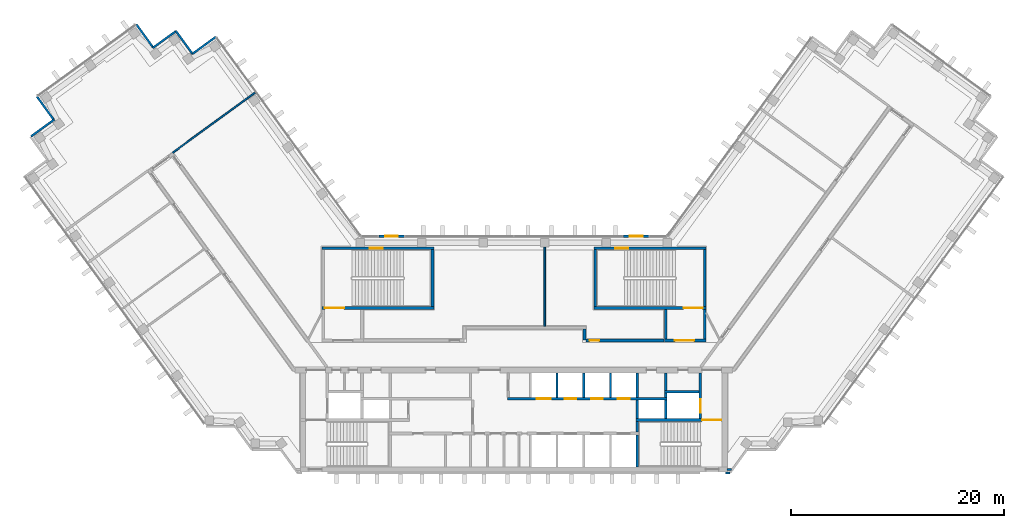
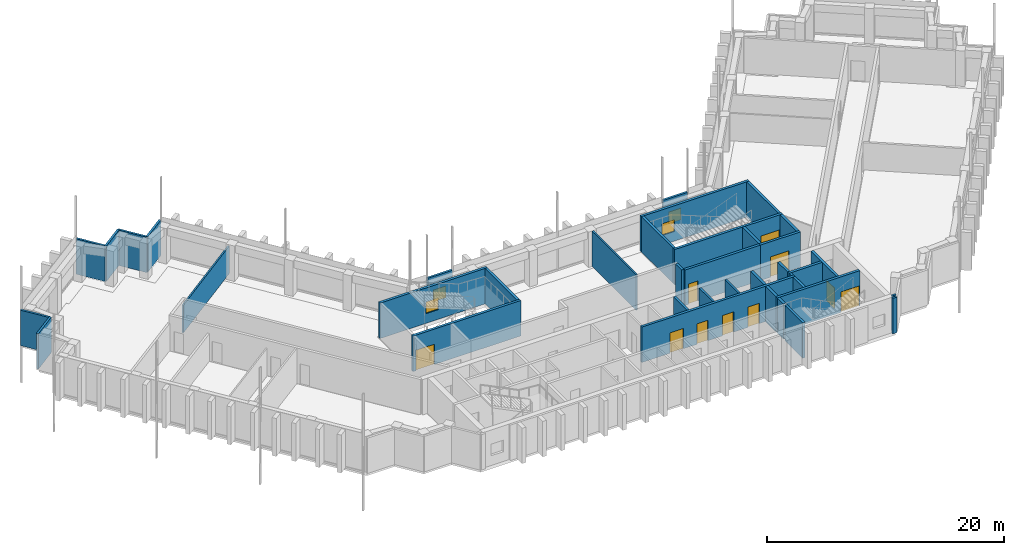
# One storey, part 9 of 13: 38 walls, 10 doors, 4 windows, 14 openings.
"""IFC4 building model written with IfcOpenShell, lengths in metres."""

from ifc_helpers import new_model, si_unit, direction, frame, frame_2d, origin, place, context, subcontext, project, spatial, rectangle, extrude, material, layer, layer_set, type_object, element, fill, save


model = new_model("IFC4")

# Units and contexts
model_context = context("Model", 3, precision=1e-05, world=origin(), true_north=direction((0.0, 1.0)))
body_context = subcontext(model_context, "Body", "Model", "MODEL_VIEW")
ifc_project = project(units=[si_unit("LENGTHUNIT", "METRE"), si_unit("AREAUNIT", "SQUARE_METRE"), si_unit("VOLUMEUNIT", "CUBIC_METRE"), si_unit("PLANEANGLEUNIT", "RADIAN"), si_unit("MASSUNIT", "GRAM", prefix="KILO")], contexts=[model_context])

# Site, building, storey
site_placement = place(None, origin())
site = spatial("IfcSite", under=ifc_project, at=site_placement, CompositionType="ELEMENT")
building_placement = place(site_placement, origin())
building = spatial("IfcBuilding", under=site, at=building_placement, Name="Quipu Civic Tower", CompositionType="ELEMENT")
storey_placement = place(building_placement, frame((0.0, 0.0, 172.0)))
storey = spatial("IfcBuildingStorey", under=building, at=storey_placement, Name="L40", CompositionType="ELEMENT", Elevation=172.0)

# Walls
ifc_material_1 = material(Name="Double gypsum plasterboard with mineral wool")
ifc_layer_1 = layer(ifc_material_1, 0.14990234375)
ifc_layer_set_1 = layer_set([ifc_layer_1], Name="Double gypsum plasterboard with mineral wool")
wall_type_1 = type_object("IfcWallType", Name="Acoustic partition 150 plasterboard", PredefinedType="PARTITIONING", material=ifc_layer_set_1)
wall_1_placement = place(storey_placement, frame((-31.97998046875, 18.922119140625, 0.0), z_axis=(0.0, 0.0, 1.0), x_axis=(0.807588329082, 0.589746632657, 0.0)))
element("IfcWall", 1, at=wall_1_placement, inside=storey, type_object=wall_type_1, Name="Partition P01", PredefinedType="PARTITIONING", context=body_context, shape_type="SweptSolid", body=[
    extrude(rectangle(XDim=9.56982421875, YDim=0.14990234375, at=frame_2d((4.784912109375, 0.0))), origin(), (0.0, 0.0, 1.0), 2.85009765625),
])
wall_2_placement = place(storey_placement, frame((2.89892578125, 10.094970703125, 0.0), z_axis=(0.0, 0.0, 1.0), x_axis=(0.0, -1.0, 0.0)))
element("IfcWall", 2, at=wall_2_placement, inside=storey, type_object=wall_type_1, Name="Partition P03", PredefinedType="PARTITIONING", context=body_context, shape_type="SweptSolid", body=[
    extrude(rectangle(XDim=7.445068359375, YDim=0.14990234375, at=frame_2d((3.72265625, 0.0))), origin(), (0.0, 0.0, 1.0), 3.64990234375),
])
ifc_material_2 = material(Name="Concrete C70/85", Category="concrete")
ifc_layer_2 = layer(ifc_material_2, 0.25)
ifc_layer_set_2 = layer_set([ifc_layer_2], Name="Concrete C70/85")
wall_type_2 = type_object("IfcWallType", Name="Core wall 250", PredefinedType="SHEAR", material=ifc_layer_set_2)
wall_3_placement = place(storey_placement, frame((11.574951171875, -10.5, 0.0), z_axis=(0.0, 0.0, 1.0), x_axis=(0.0, 1.0, 0.0)))
element("IfcWall", 3, at=wall_3_placement, inside=storey, type_object=wall_type_2, Name="Core wall", PredefinedType="SHEAR", context=body_context, shape_type="SweptSolid", body=[
    extrude(rectangle(XDim=3.0, YDim=0.25, at=frame_2d((1.5, 0.0))), origin(), (0.0, 0.0, 1.0), 3.64990234375),
])
wall_4_placement = place(storey_placement, frame((11.574951171875, -7.25, 0.0), z_axis=(0.0, 0.0, 1.0), x_axis=(0.0, 1.0, 0.0)))
element("IfcWall", 4, at=wall_4_placement, inside=storey, type_object=wall_type_2, Name="Core wall", PredefinedType="SHEAR", context=body_context, shape_type="SweptSolid", body=[
    extrude(rectangle(XDim=1.0, YDim=0.25, at=frame_2d((0.5, 0.0))), origin(), (0.0, 0.0, 1.0), 3.64990234375),
])

# Wall, opening, door
wall_5_placement = place(storey_placement, frame((19.5, -6.125, 0.0), z_axis=(0.0, 0.0, 1.0), x_axis=(-1.0, 0.0, 0.0)))
wall_5 = element("IfcWall", 5, at=wall_5_placement, inside=storey, type_object=wall_type_2, Name="Core wall", PredefinedType="SHEAR", context=body_context, shape_type="SweptSolid", body=[
    extrude(rectangle(XDim=8.050048828125, YDim=0.25, at=frame_2d((4.02490234375, 0.0))), origin(), (0.0, 0.0, 1.0), 3.64990234375),
])
opening_1_placement = place(wall_5_placement, frame((0.050048828125, 0.0, 0.0)))
opening_1 = element("IfcOpeningElement", 6, at=opening_1_placement, cuts=wall_5, Name="Opening CD-08", PredefinedType="OPENING", context=body_context, shape_type="SweptSolid", body=[
    extrude(rectangle(XDim=1.800048828125, YDim=2.10009765625, at=frame_2d((0.89990234375, 1.050048828125))), frame((0.0, 0.135009765625, 0.0), z_axis=(0.0, -1.0, 0.0), x_axis=(1.0, 0.0, 0.0)), (0.0, 0.0, 1.0), 0.27001953125),
])
ifc_material_3 = material(Name="Fire rated steel door", Category="steel")
door_type_1 = type_object("IfcDoorType", Name="Fire door FD90 double 1800 x 2100", OperationType="NOTDEFINED", PredefinedType="DOOR", material=ifc_material_3)
door_1_placement = place(opening_1_placement, origin())
door_1 = element("IfcDoor", 7, at=door_1_placement, inside=storey, type_object=door_type_1, Name="Door", OperationType="DOUBLE_DOOR_SINGLE_SWING", OverallHeight=2.10009765625, OverallWidth=1.800048828125, PredefinedType="DOOR", context=body_context, shape_type="SweptSolid", body=[
    extrude(rectangle(XDim=1.800048828125, YDim=2.10009765625, at=frame_2d((0.89990234375, 1.050048828125))), frame((0.0, 0.02490234375, 0.0), z_axis=(0.0, -1.0, 0.0), x_axis=(1.0, 0.0, 0.0)), (0.0, 0.0, 1.0), 0.050048828125),
])
fill(opening_1, door_1)

# Walls
for number, where, z_axis, x_axis, name in (
    (8, (11.574951171875, -6.0, 0.0), (0.0, 0.0, 1.0), (0.0, 1.0, 0.0), "Core wall"),
    (9, (14.22509765625, -6.0, 0.0), (0.0, 0.0, 1.0), (0.0, 1.0, 0.0), "Core wall"),
):
    element("IfcWall", number, at=place(storey_placement, frame(where, z_axis=z_axis, x_axis=x_axis)), inside=storey, type_object=wall_type_2, Name=name, PredefinedType="SHEAR", context=body_context, shape_type="SweptSolid", body=[
        extrude(rectangle(XDim=1.75, YDim=0.25, at=frame_2d((0.875, 0.0))), origin(), (0.0, 0.0, 1.0), 3.64990234375),
    ])

# Wall, opening, door
wall_6_placement = place(storey_placement, frame((17.47509765625, -6.0, 0.0), z_axis=(0.0, 0.0, 1.0), x_axis=(0.0, 1.0, 0.0)))
wall_6 = element("IfcWall", 10, at=wall_6_placement, inside=storey, type_object=wall_type_2, Name="Core wall", PredefinedType="SHEAR", context=body_context, shape_type="SweptSolid", body=[
    extrude(rectangle(XDim=4.300048828125, YDim=0.25, at=frame_2d((2.14990234375, 0.0))), origin(), (0.0, 0.0, 1.0), 3.64990234375),
])
opening_2_placement = place(wall_6_placement, frame((0.550048828125, 0.0, 0.0)))
opening_2 = element("IfcOpeningElement", 11, at=opening_2_placement, cuts=wall_6, Name="Opening LD-FF2", PredefinedType="OPENING", context=body_context, shape_type="SweptSolid", body=[
    extrude(rectangle(XDim=1.300048828125, YDim=2.10009765625, at=frame_2d((0.64990234375, 1.050048828125))), frame((0.0, 0.135009765625, 0.0), z_axis=(0.0, -1.0, 0.0), x_axis=(1.0, 0.0, 0.0)), (0.0, 0.0, 1.0), 0.27001953125),
])
ifc_material_4 = material(Name="Stainless steel", Category="steel")
door_type_2 = type_object("IfcDoorType", Name="Lift landing door 1300 x 2100", OperationType="DOUBLE_DOOR_SLIDING", PredefinedType="DOOR", material=ifc_material_4)
door_2_placement = place(opening_2_placement, origin())
door_2 = element("IfcDoor", 12, at=door_2_placement, inside=storey, type_object=door_type_2, Name="Landing door FF2", OperationType="DOUBLE_DOOR_SLIDING", OverallHeight=2.10009765625, OverallWidth=1.300048828125, PredefinedType="DOOR", context=body_context, shape_type="SweptSolid", body=[
    extrude(rectangle(XDim=1.300048828125, YDim=2.10009765625, at=frame_2d((0.64990234375, 1.050048828125))), frame((0.0, 0.02490234375, 0.0), z_axis=(0.0, -1.0, 0.0), x_axis=(1.0, 0.0, 0.0)), (0.0, 0.0, 1.0), 0.050048828125),
])
fill(opening_2, door_2)

# Wall, openings, doors
wall_7_placement = place(storey_placement, frame((-0.60009765625, -4.125, 0.0), z_axis=(0.0, 0.0, 1.0), x_axis=(1.0, 0.0, 0.0)))
wall_7 = element("IfcWall", 13, at=wall_7_placement, inside=storey, type_object=wall_type_2, Name="Core wall", PredefinedType="SHEAR", context=body_context, shape_type="SweptSolid", body=[
    extrude(rectangle(XDim=14.9501953125, YDim=0.25, at=frame_2d((7.47509765625, 0.0))), origin(), (0.0, 0.0, 1.0), 3.64990234375),
])
opening_3_placement = place(wall_7_placement, frame((2.75, 0.0, 0.0)))
opening_3 = element("IfcOpeningElement", 14, at=opening_3_placement, cuts=wall_7, Name="Opening LD-FF3", PredefinedType="OPENING", context=body_context, shape_type="SweptSolid", body=[
    extrude(rectangle(XDim=1.300048828125, YDim=2.10009765625, at=frame_2d((0.64990234375, 1.050048828125))), frame((0.0, 0.135009765625, 0.0), z_axis=(0.0, -1.0, 0.0), x_axis=(1.0, 0.0, 0.0)), (0.0, 0.0, 1.0), 0.27001953125),
])
opening_4_placement = place(wall_7_placement, frame((5.35009765625, 0.0, 0.0)))
opening_4 = element("IfcOpeningElement", 15, at=opening_4_placement, cuts=wall_7, Name="Opening LD-ML5", PredefinedType="OPENING", context=body_context, shape_type="SweptSolid", body=[
    extrude(rectangle(XDim=1.10009765625, YDim=2.10009765625, at=frame_2d((0.550048828125, 1.050048828125))), frame((0.0, 0.135009765625, 0.0), z_axis=(0.0, -1.0, 0.0), x_axis=(1.0, 0.0, 0.0)), (0.0, 0.0, 1.0), 0.27001953125),
])
opening_5_placement = place(wall_7_placement, frame((7.85009765625, 0.0, 0.0)))
opening_5 = element("IfcOpeningElement", 16, at=opening_5_placement, cuts=wall_7, Name="Opening LD-ML6", PredefinedType="OPENING", context=body_context, shape_type="SweptSolid", body=[
    extrude(rectangle(XDim=1.10009765625, YDim=2.10009765625, at=frame_2d((0.550048828125, 1.050048828125))), frame((0.0, 0.135009765625, 0.0), z_axis=(0.0, -1.0, 0.0), x_axis=(1.0, 0.0, 0.0)), (0.0, 0.0, 1.0), 0.27001953125),
])
opening_6_placement = place(wall_7_placement, frame((10.35009765625, 0.0, 0.0)))
opening_6 = element("IfcOpeningElement", 17, at=opening_6_placement, cuts=wall_7, Name="Opening LD-ML7", PredefinedType="OPENING", context=body_context, shape_type="SweptSolid", body=[
    extrude(rectangle(XDim=1.10009765625, YDim=2.10009765625, at=frame_2d((0.550048828125, 1.050048828125))), frame((0.0, 0.135009765625, 0.0), z_axis=(0.0, -1.0, 0.0), x_axis=(1.0, 0.0, 0.0)), (0.0, 0.0, 1.0), 0.27001953125),
])
ifc_material_5 = material(Name="Stainless steel", Category="steel")
door_type_3 = type_object("IfcDoorType", Name="Lift landing door 1100 x 2100", OperationType="DOUBLE_DOOR_SLIDING", PredefinedType="DOOR", material=ifc_material_5)
door_3_placement = place(opening_4_placement, origin())
door_3 = element("IfcDoor", 18, at=door_3_placement, inside=storey, type_object=door_type_3, Name="Landing door ML5", OperationType="DOUBLE_DOOR_SLIDING", OverallHeight=2.10009765625, OverallWidth=1.10009765625, PredefinedType="DOOR", context=body_context, shape_type="SweptSolid", body=[
    extrude(rectangle(XDim=1.10009765625, YDim=2.10009765625, at=frame_2d((0.550048828125, 1.050048828125))), frame((0.0, 0.02490234375, 0.0), z_axis=(0.0, -1.0, 0.0), x_axis=(1.0, 0.0, 0.0)), (0.0, 0.0, 1.0), 0.050048828125),
])
fill(opening_4, door_3)
door_4_placement = place(opening_5_placement, origin())
door_4 = element("IfcDoor", 19, at=door_4_placement, inside=storey, type_object=door_type_3, Name="Landing door ML6", OperationType="DOUBLE_DOOR_SLIDING", OverallHeight=2.10009765625, OverallWidth=1.10009765625, PredefinedType="DOOR", context=body_context, shape_type="SweptSolid", body=[
    extrude(rectangle(XDim=1.10009765625, YDim=2.10009765625, at=frame_2d((0.550048828125, 1.050048828125))), frame((0.0, 0.02490234375, 0.0), z_axis=(0.0, -1.0, 0.0), x_axis=(1.0, 0.0, 0.0)), (0.0, 0.0, 1.0), 0.050048828125),
])
fill(opening_5, door_4)
door_5_placement = place(opening_6_placement, origin())
door_5 = element("IfcDoor", 20, at=door_5_placement, inside=storey, type_object=door_type_3, Name="Landing door ML7", OperationType="DOUBLE_DOOR_SLIDING", OverallHeight=2.10009765625, OverallWidth=1.10009765625, PredefinedType="DOOR", context=body_context, shape_type="SweptSolid", body=[
    extrude(rectangle(XDim=1.10009765625, YDim=2.10009765625, at=frame_2d((0.550048828125, 1.050048828125))), frame((0.0, 0.02490234375, 0.0), z_axis=(0.0, -1.0, 0.0), x_axis=(1.0, 0.0, 0.0)), (0.0, 0.0, 1.0), 0.050048828125),
])
fill(opening_6, door_5)
door_6_placement = place(opening_3_placement, origin())
door_6 = element("IfcDoor", 21, at=door_6_placement, inside=storey, type_object=door_type_2, Name="Landing door FF3", OperationType="DOUBLE_DOOR_SLIDING", OverallHeight=2.10009765625, OverallWidth=1.300048828125, PredefinedType="DOOR", context=body_context, shape_type="SweptSolid", body=[
    extrude(rectangle(XDim=1.300048828125, YDim=2.10009765625, at=frame_2d((0.64990234375, 1.050048828125))), frame((0.0, 0.02490234375, 0.0), z_axis=(0.0, -1.0, 0.0), x_axis=(1.0, 0.0, 0.0)), (0.0, 0.0, 1.0), 0.050048828125),
])
fill(opening_3, door_6)

# Walls
wall_8_placement = place(storey_placement, frame((11.574951171875, -4.0, 0.0), z_axis=(0.0, 0.0, 1.0), x_axis=(0.0, 1.0, 0.0)))
element("IfcWall", 22, at=wall_8_placement, inside=storey, type_object=wall_type_2, Name="Core wall", PredefinedType="SHEAR", context=body_context, shape_type="SweptSolid", body=[
    extrude(rectangle(XDim=2.300048828125, YDim=0.25, at=frame_2d((1.14990234375, 0.0))), origin(), (0.0, 0.0, 1.0), 3.64990234375),
])
wall_9_placement = place(storey_placement, frame((14.22509765625, -4.0, 0.0), z_axis=(0.0, 0.0, 1.0), x_axis=(0.0, 1.0, 0.0)))
element("IfcWall", 23, at=wall_9_placement, inside=storey, type_object=wall_type_2, Name="Core wall", PredefinedType="SHEAR", context=body_context, shape_type="SweptSolid", body=[
    extrude(rectangle(XDim=0.39990234375, YDim=0.25, at=frame_2d((0.199951171875, 0.0))), origin(), (0.0, 0.0, 1.0), 3.64990234375),
])
wall_10_placement = place(storey_placement, frame((14.10009765625, -3.47509765625, 0.0), z_axis=(0.0, 0.0, 1.0), x_axis=(1.0, 0.0, 0.0)))
element("IfcWall", 24, at=wall_10_placement, inside=storey, type_object=wall_type_2, Name="Core wall", PredefinedType="SHEAR", context=body_context, shape_type="SweptSolid", body=[
    extrude(rectangle(XDim=3.25, YDim=0.25, at=frame_2d((1.625, 0.0))), origin(), (0.0, 0.0, 1.0), 3.64990234375),
])
wall_11_placement = place(storey_placement, frame((14.22509765625, -3.35009765625, 0.0), z_axis=(0.0, 0.0, 1.0), x_axis=(0.0, 1.0, 0.0)))
element("IfcWall", 25, at=wall_11_placement, inside=storey, type_object=wall_type_2, Name="Core wall", PredefinedType="SHEAR", context=body_context, shape_type="SweptSolid", body=[
    extrude(rectangle(XDim=1.650146484375, YDim=0.25, at=frame_2d((0.8251953125, 0.0))), origin(), (0.0, 0.0, 1.0), 3.64990234375),
])

# Wall, opening, door
wall_12_placement = place(storey_placement, frame((-18.0, 4.375, 0.0), z_axis=(0.0, 0.0, 1.0), x_axis=(1.0, 0.0, 0.0)))
wall_12 = element("IfcWall", 26, at=wall_12_placement, inside=storey, type_object=wall_type_2, Name="Core wall", PredefinedType="SHEAR", context=body_context, shape_type="SweptSolid", body=[
    extrude(rectangle(XDim=10.5, YDim=0.25, at=frame_2d((5.25, 0.0))), origin(), (0.0, 0.0, 1.0), 3.64990234375),
])
opening_7_placement = place(wall_12_placement, frame((0.300048828125, 0.0, 0.0)))
opening_7 = element("IfcOpeningElement", 27, at=opening_7_placement, cuts=wall_12, Name="Opening CD-22", PredefinedType="OPENING", context=body_context, shape_type="SweptSolid", body=[
    extrude(rectangle(XDim=1.800048828125, YDim=2.10009765625, at=frame_2d((0.89990234375, 1.050048828125))), frame((0.0, 0.135009765625, 0.0), z_axis=(0.0, -1.0, 0.0), x_axis=(1.0, 0.0, 0.0)), (0.0, 0.0, 1.0), 0.27001953125),
])
door_7_placement = place(opening_7_placement, origin())
door_7 = element("IfcDoor", 28, at=door_7_placement, inside=storey, type_object=door_type_1, Name="Door", OperationType="DOUBLE_DOOR_SINGLE_SWING", OverallHeight=2.10009765625, OverallWidth=1.800048828125, PredefinedType="DOOR", context=body_context, shape_type="SweptSolid", body=[
    extrude(rectangle(XDim=1.800048828125, YDim=2.10009765625, at=frame_2d((0.89990234375, 1.050048828125))), frame((0.0, 0.02490234375, 0.0), z_axis=(0.0, -1.0, 0.0), x_axis=(1.0, 0.0, 0.0)), (0.0, 0.0, 1.0), 0.050048828125),
])
fill(opening_7, door_7)

# Wall
wall_13_placement = place(storey_placement, frame((-7.625, 4.5, 0.0), z_axis=(0.0, 0.0, 1.0), x_axis=(0.0, 1.0, 0.0)))
element("IfcWall", 29, at=wall_13_placement, inside=storey, type_object=wall_type_2, Name="Core wall", PredefinedType="SHEAR", context=body_context, shape_type="SweptSolid", body=[
    extrude(rectangle(XDim=5.35009765625, YDim=0.25, at=frame_2d((2.675048828125, 0.0))), origin(), (0.0, 0.0, 1.0), 3.64990234375),
])

# Wall, opening, window
wall_14_placement = place(storey_placement, frame((-18.0, 9.97509765625, 0.0), z_axis=(0.0, 0.0, 1.0), x_axis=(1.0, 0.0, 0.0)))
wall_14 = element("IfcWall", 30, at=wall_14_placement, inside=storey, type_object=wall_type_2, Name="Core wall", PredefinedType="SHEAR", context=body_context, shape_type="SweptSolid", body=[
    extrude(rectangle(XDim=10.5, YDim=0.25, at=frame_2d((5.25, 0.0))), origin(), (0.0, 0.0, 1.0), 3.64990234375),
])
opening_8_placement = place(wall_14_placement, frame((4.5, 0.0, 1.0)))
opening_8 = element("IfcOpeningElement", 31, at=opening_8_placement, cuts=wall_14, Name="Opening SV-3", PredefinedType="OPENING", context=body_context, shape_type="SweptSolid", body=[
    extrude(rectangle(XDim=1.199951171875, YDim=1.199951171875, at=frame_2d((0.60009765625, 0.60009765625))), frame((0.0, 0.135009765625, 0.0), z_axis=(0.0, -1.0, 0.0), x_axis=(1.0, 0.0, 0.0)), (0.0, 0.0, 1.0), 0.27001953125),
])
ifc_material_6 = material(Name="Aluminium louvre", Category="aluminium")
window_type_1 = type_object("IfcWindowType", Name="Stair ventilation louvre 1200 x 1200", PartitioningType="SINGLE_PANEL", PredefinedType="WINDOW", material=ifc_material_6)
window_1_placement = place(opening_8_placement, origin())
window_1 = element("IfcWindow", 32, at=window_1_placement, inside=storey, type_object=window_type_1, Name="Stair ventilation opening", OverallHeight=1.199951171875, OverallWidth=1.199951171875, PartitioningType="SINGLE_PANEL", PredefinedType="WINDOW", context=body_context, shape_type="SweptSolid", body=[
    extrude(rectangle(XDim=1.199951171875, YDim=1.199951171875, at=frame_2d((0.60009765625, 0.60009765625))), frame((0.0, 0.030029296875, 0.0), z_axis=(0.0, -1.0, 0.0), x_axis=(1.0, 0.0, 0.0)), (0.0, 0.0, 1.0), 0.06005859375),
])
fill(opening_8, window_1)

# Wall, opening, door
wall_15_placement = place(storey_placement, frame((14.10009765625, 1.324951171875, 0.0), z_axis=(0.0, 0.0, 1.0), x_axis=(1.0, 0.0, 0.0)))
wall_15 = element("IfcWall", 33, at=wall_15_placement, inside=storey, type_object=wall_type_2, Name="Core wall", PredefinedType="SHEAR", context=body_context, shape_type="SweptSolid", body=[
    extrude(rectangle(XDim=3.89990234375, YDim=0.25, at=frame_2d((1.949951171875, 0.0))), origin(), (0.0, 0.0, 1.0), 3.64990234375),
])
opening_9_placement = place(wall_15_placement, frame((1.0, 0.0, 0.0)))
opening_9 = element("IfcOpeningElement", 34, at=opening_9_placement, cuts=wall_15, Name="Opening CD-23", PredefinedType="OPENING", context=body_context, shape_type="SweptSolid", body=[
    extrude(rectangle(XDim=1.800048828125, YDim=2.10009765625, at=frame_2d((0.89990234375, 1.050048828125))), frame((0.0, 0.135009765625, 0.0), z_axis=(0.0, -1.0, 0.0), x_axis=(1.0, 0.0, 0.0)), (0.0, 0.0, 1.0), 0.27001953125),
])
door_8_placement = place(opening_9_placement, origin())
door_8 = element("IfcDoor", 35, at=door_8_placement, inside=storey, type_object=door_type_1, Name="Lobby door", OperationType="DOUBLE_DOOR_SINGLE_SWING", OverallHeight=2.10009765625, OverallWidth=1.800048828125, PredefinedType="DOOR", context=body_context, shape_type="SweptSolid", body=[
    extrude(rectangle(XDim=1.800048828125, YDim=2.10009765625, at=frame_2d((0.89990234375, 1.050048828125))), frame((0.0, 0.02490234375, 0.0), z_axis=(0.0, -1.0, 0.0), x_axis=(1.0, 0.0, 0.0)), (0.0, 0.0, 1.0), 0.050048828125),
])
fill(opening_9, door_8)

# Walls
for number, where, z_axis, x_axis, name in (
    (36, (14.22509765625, 1.449951171875, 0.0), (0.0, 0.0, 1.0), (0.0, 1.0, 0.0), "Core wall"),
    (37, (17.875, 1.449951171875, 0.0), (0.0, 0.0, 1.0), (0.0, 1.0, 0.0), "Core wall"),
):
    element("IfcWall", number, at=place(storey_placement, frame(where, z_axis=z_axis, x_axis=x_axis)), inside=storey, type_object=wall_type_2, Name=name, PredefinedType="SHEAR", context=body_context, shape_type="SweptSolid", body=[
        extrude(rectangle(XDim=2.800048828125, YDim=0.25, at=frame_2d((1.39990234375, 0.0))), origin(), (0.0, 0.0, 1.0), 3.64990234375),
    ])

# Wall, opening, door
wall_16_placement = place(storey_placement, frame((7.5, 4.375, 0.0), z_axis=(0.0, 0.0, 1.0), x_axis=(1.0, 0.0, 0.0)))
wall_16 = element("IfcWall", 38, at=wall_16_placement, inside=storey, type_object=wall_type_2, Name="Core wall", PredefinedType="SHEAR", context=body_context, shape_type="SweptSolid", body=[
    extrude(rectangle(XDim=10.5, YDim=0.25, at=frame_2d((5.25, 0.0))), origin(), (0.0, 0.0, 1.0), 3.64990234375),
])
opening_10_placement = place(wall_16_placement, frame((8.39990234375, 0.0, 0.0)))
opening_10 = element("IfcOpeningElement", 39, at=opening_10_placement, cuts=wall_16, Name="Opening CD-24", PredefinedType="OPENING", context=body_context, shape_type="SweptSolid", body=[
    extrude(rectangle(XDim=1.800048828125, YDim=2.10009765625, at=frame_2d((0.89990234375, 1.050048828125))), frame((0.0, 0.135009765625, 0.0), z_axis=(0.0, -1.0, 0.0), x_axis=(1.0, 0.0, 0.0)), (0.0, 0.0, 1.0), 0.27001953125),
])
door_9_placement = place(opening_10_placement, origin())
door_9 = element("IfcDoor", 40, at=door_9_placement, inside=storey, type_object=door_type_1, Name="Door", OperationType="DOUBLE_DOOR_SINGLE_SWING", OverallHeight=2.10009765625, OverallWidth=1.800048828125, PredefinedType="DOOR", context=body_context, shape_type="SweptSolid", body=[
    extrude(rectangle(XDim=1.800048828125, YDim=2.10009765625, at=frame_2d((0.89990234375, 1.050048828125))), frame((0.0, 0.02490234375, 0.0), z_axis=(0.0, -1.0, 0.0), x_axis=(1.0, 0.0, 0.0)), (0.0, 0.0, 1.0), 0.050048828125),
])
fill(opening_10, door_9)

# Walls
for number, where, z_axis, x_axis, name in (
    (41, (7.625, 4.5, 0.0), (0.0, 0.0, 1.0), (0.0, 1.0, 0.0), "Core wall"),
    (42, (17.875, 4.5, 0.0), (0.0, 0.0, 1.0), (0.0, 1.0, 0.0), "Core wall"),
):
    element("IfcWall", number, at=place(storey_placement, frame(where, z_axis=z_axis, x_axis=x_axis)), inside=storey, type_object=wall_type_2, Name=name, PredefinedType="SHEAR", context=body_context, shape_type="SweptSolid", body=[
        extrude(rectangle(XDim=5.35009765625, YDim=0.25, at=frame_2d((2.675048828125, 0.0))), origin(), (0.0, 0.0, 1.0), 3.64990234375),
    ])

# Wall, opening, window
wall_17_placement = place(storey_placement, frame((7.5, 9.97509765625, 0.0), z_axis=(0.0, 0.0, 1.0), x_axis=(1.0, 0.0, 0.0)))
wall_17 = element("IfcWall", 43, at=wall_17_placement, inside=storey, type_object=wall_type_2, Name="Core wall", PredefinedType="SHEAR", context=body_context, shape_type="SweptSolid", body=[
    extrude(rectangle(XDim=10.5, YDim=0.25, at=frame_2d((5.25, 0.0))), origin(), (0.0, 0.0, 1.0), 3.64990234375),
])
opening_11_placement = place(wall_17_placement, frame((2.0, 0.0, 1.0)))
opening_11 = element("IfcOpeningElement", 44, at=opening_11_placement, cuts=wall_17, Name="Opening SV-4", PredefinedType="OPENING", context=body_context, shape_type="SweptSolid", body=[
    extrude(rectangle(XDim=1.199951171875, YDim=1.199951171875, at=frame_2d((0.60009765625, 0.60009765625))), frame((0.0, 0.135009765625, 0.0), z_axis=(0.0, -1.0, 0.0), x_axis=(1.0, 0.0, 0.0)), (0.0, 0.0, 1.0), 0.27001953125),
])
window_2_placement = place(opening_11_placement, origin())
window_2 = element("IfcWindow", 45, at=window_2_placement, inside=storey, type_object=window_type_1, Name="Stair ventilation opening", OverallHeight=1.199951171875, OverallWidth=1.199951171875, PartitioningType="SINGLE_PANEL", PredefinedType="WINDOW", context=body_context, shape_type="SweptSolid", body=[
    extrude(rectangle(XDim=1.199951171875, YDim=1.199951171875, at=frame_2d((0.60009765625, 0.60009765625))), frame((0.0, 0.030029296875, 0.0), z_axis=(0.0, -1.0, 0.0), x_axis=(1.0, 0.0, 0.0)), (0.0, 0.0, 1.0), 0.06005859375),
])
fill(opening_11, window_2)

# Wall
ifc_material_7 = material(Name="Concrete C50/60", Category="concrete")
ifc_layer_3 = layer(ifc_material_7, 0.25)
ifc_layer_set_3 = layer_set([ifc_layer_3], Name="Concrete C50/60")
wall_type_3 = type_object("IfcWallType", Name="Corridor wall 250 concrete", PredefinedType="SOLIDWALL", material=ifc_layer_set_3)
wall_18_placement = place(storey_placement, frame((6.625, 2.39990234375, 0.0), z_axis=(0.0, 0.0, 1.0), x_axis=(0.0, -1.0, 0.0)))
element("IfcWall", 46, at=wall_18_placement, inside=storey, type_object=wall_type_3, Name="Corridor wall C10", PredefinedType="SOLIDWALL", context=body_context, shape_type="SweptSolid", body=[
    extrude(rectangle(XDim=1.041259765625, YDim=0.25, at=frame_2d((0.5205078125, 0.0))), origin(), (0.0, 0.0, 1.0), 3.64990234375),
])

# Wall, opening, door
wall_19_placement = place(storey_placement, frame((6.753662109375, 1.324951171875, 0.0), z_axis=(0.0, 0.0, 1.0), x_axis=(1.0, 0.0, 0.0)))
wall_19 = element("IfcWall", 47, at=wall_19_placement, inside=storey, type_object=wall_type_3, Name="Corridor wall C11", PredefinedType="SOLIDWALL", context=body_context, shape_type="SweptSolid", body=[
    extrude(rectangle(XDim=7.33642578125, YDim=0.25, at=frame_2d((3.668212890625, 0.0))), origin(), (0.0, 0.0, 1.0), 3.64990234375),
])
opening_12_placement = place(wall_19_placement, frame((0.34619140625, 0.0, 0.0)))
opening_12 = element("IfcOpeningElement", 48, at=opening_12_placement, cuts=wall_19, Name="Opening D008", PredefinedType="OPENING", context=body_context, shape_type="SweptSolid", body=[
    extrude(rectangle(XDim=0.89990234375, YDim=2.10009765625, at=frame_2d((0.449951171875, 1.050048828125))), frame((0.0, 0.135009765625, 0.0), z_axis=(0.0, -1.0, 0.0), x_axis=(1.0, 0.0, 0.0)), (0.0, 0.0, 1.0), 0.27001953125),
])
ifc_material_8 = material(Name="Fire rated timber door set with metal frame", Category="wood")
door_type_4 = type_object("IfcDoorType", Name="Single door 900 x 2100 FD60", OperationType="NOTDEFINED", PredefinedType="DOOR", material=ifc_material_8)
door_10_placement = place(opening_12_placement, origin())
door_10 = element("IfcDoor", 49, at=door_10_placement, inside=storey, type_object=door_type_4, Name="Door D008", OperationType="SINGLE_SWING_LEFT", OverallHeight=2.10009765625, OverallWidth=0.89990234375, PredefinedType="DOOR", context=body_context, shape_type="SweptSolid", body=[
    extrude(rectangle(XDim=0.89990234375, YDim=2.10009765625, at=frame_2d((0.449951171875, 1.050048828125))), frame((0.0, 0.02490234375, 0.0), z_axis=(0.0, -1.0, 0.0), x_axis=(1.0, 0.0, 0.0)), (0.0, 0.0, 1.0), 0.050048828125),
])
fill(opening_12, door_10)

# Walls
ifc_material_9 = material(Name="Precast concrete C40/50", Category="concrete")
wall_type_4 = type_object("IfcWallType", Name="Precast cladding wall", PredefinedType="SOLIDWALL", material=ifc_material_9)
for number, where, z_axis, x_axis, name in (
    (50, (-43.060791015625, 22.04296875, 0.0), (0.0, 0.0, 1.0), (-0.809033161865, -0.587762999008, 0.0), "Precast cladding wall L40 P01"),
    (51, (-27.92138671875, 29.787109375, 0.0), (0.0, 0.0, 1.0), (-0.809033161865, -0.587762999008, 0.0), "Precast cladding wall L40 P05"),
    (52, (-30.08349609375, 28.149169921875, 0.0), (0.0, 0.0, 1.0), (-0.587762999008, 0.809033161865, 0.0), "Precast cladding wall L40 P06"),
    (53, (-31.653564453125, 30.330810546875, 0.0), (0.0, 0.0, 1.0), (-0.809033161865, -0.587762999008, 0.0), "Precast cladding wall L40 P07"),
    (54, (-33.80078125, 28.785888671875, 0.0), (0.0, 0.0, 1.0), (-0.587762999008, 0.809033161865, 0.0), "Precast cladding wall L40 P08"),
    (55, (-44.699462890625, 24.20458984375, 0.0), (0.0, 0.0, 1.0), (0.587762999008, -0.809033161865, 0.0), "Precast cladding wall L40 P10"),
):
    element("IfcWall", number, at=place(storey_placement, frame(where, z_axis=z_axis, x_axis=x_axis)), inside=storey, type_object=wall_type_4, Name=name, PredefinedType="SOLIDWALL", context=body_context, shape_type="SweptSolid", body=[
        extrude(rectangle(XDim=2.699951171875, YDim=0.199951171875, at=frame_2d((1.35009765625, 0.0))), origin(), (0.0, 0.0, 1.0), 3.64990234375),
    ])
wall_20_placement = place(storey_placement, frame((19.85009765625, -11.087890625, 0.0), z_axis=(0.0, 0.0, 1.0), x_axis=(1.0, 0.0, 0.0)))
element("IfcWall", 56, at=wall_20_placement, inside=storey, type_object=wall_type_4, Name="Precast cladding wall L40 P19", PredefinedType="SOLIDWALL", context=body_context, shape_type="SweptSolid", body=[
    extrude(rectangle(XDim=0.40576171875, YDim=0.199951171875, at=frame_2d((0.202880859375, 0.0))), origin(), (0.0, 0.0, 1.0), 3.64990234375),
])

# Wall, opening, window
wall_21_placement = place(storey_placement, frame((12.655029296875, 11.10009765625, 0.0), z_axis=(0.0, 0.0, 1.0), x_axis=(-1.0, 0.0, 0.0)))
wall_21 = element("IfcWall", 57, at=wall_21_placement, inside=storey, type_object=wall_type_4, Name="Vent surround SF-L39-2", PredefinedType="SOLIDWALL", context=body_context, shape_type="SweptSolid", body=[
    extrude(rectangle(XDim=2.3916015625, YDim=0.199951171875, at=frame_2d((1.19580078125, 0.0))), origin(), (0.0, 0.0, 1.0), 3.64990234375),
])
opening_13_placement = place(wall_21_placement, frame((0.595703125, 0.0, 1.0)))
opening_13 = element("IfcOpeningElement", 58, at=opening_13_placement, cuts=wall_21, Name="Opening SF-L39-2", PredefinedType="OPENING", context=body_context, shape_type="SweptSolid", body=[
    extrude(rectangle(XDim=1.199951171875, YDim=1.199951171875, at=frame_2d((0.60009765625, 0.60009765625))), frame((0.0, 0.10986328125, 0.0), z_axis=(0.0, -1.0, 0.0), x_axis=(1.0, 0.0, 0.0)), (0.0, 0.0, 1.0), 0.219970703125),
])
ifc_material_10 = material(Name="Anodised aluminium louvre", Category="aluminium")
window_type_2 = type_object("IfcWindowType", Name="Stair vent louvre window P3", PartitioningType="SINGLE_PANEL", PredefinedType="WINDOW", material=ifc_material_10)
window_3_placement = place(opening_13_placement, origin())
window_3 = element("IfcWindow", 59, at=window_3_placement, inside=storey, type_object=window_type_2, Name="Stair vent louvre SF-L39-2", OverallHeight=1.199951171875, OverallWidth=1.199951171875, PartitioningType="SINGLE_PANEL", PredefinedType="WINDOW", context=body_context, shape_type="SweptSolid", body=[
    extrude(rectangle(XDim=1.199951171875, YDim=1.199951171875, at=frame_2d((0.60009765625, 0.60009765625))), frame((0.0, 0.030029296875, 0.0), z_axis=(0.0, -1.0, 0.0), x_axis=(1.0, 0.0, 0.0)), (0.0, 0.0, 1.0), 0.06005859375),
])
fill(opening_13, window_3)

wall_22_placement = place(storey_placement, frame((-10.263427734375, 11.10009765625, 0.0), z_axis=(0.0, 0.0, 1.0), x_axis=(-1.0, 0.0, 0.0)))
wall_22 = element("IfcWall", 60, at=wall_22_placement, inside=storey, type_object=wall_type_4, Name="Vent surround SF-L39-1", PredefinedType="SOLIDWALL", context=body_context, shape_type="SweptSolid", body=[
    extrude(rectangle(XDim=2.3916015625, YDim=0.199951171875, at=frame_2d((1.19580078125, 0.0))), origin(), (0.0, 0.0, 1.0), 3.64990234375),
])
opening_14_placement = place(wall_22_placement, frame((0.595703125, 0.0, 1.0)))
opening_14 = element("IfcOpeningElement", 61, at=opening_14_placement, cuts=wall_22, Name="Opening SF-L39-1", PredefinedType="OPENING", context=body_context, shape_type="SweptSolid", body=[
    extrude(rectangle(XDim=1.199951171875, YDim=1.199951171875, at=frame_2d((0.60009765625, 0.60009765625))), frame((0.0, 0.10986328125, 0.0), z_axis=(0.0, -1.0, 0.0), x_axis=(1.0, 0.0, 0.0)), (0.0, 0.0, 1.0), 0.219970703125),
])
window_4_placement = place(opening_14_placement, origin())
window_4 = element("IfcWindow", 62, at=window_4_placement, inside=storey, type_object=window_type_2, Name="Stair vent louvre SF-L39-1", OverallHeight=1.199951171875, OverallWidth=1.199951171875, PartitioningType="SINGLE_PANEL", PredefinedType="WINDOW", context=body_context, shape_type="SweptSolid", body=[
    extrude(rectangle(XDim=1.199951171875, YDim=1.199951171875, at=frame_2d((0.60009765625, 0.60009765625))), frame((0.0, 0.030029296875, 0.0), z_axis=(0.0, -1.0, 0.0), x_axis=(1.0, 0.0, 0.0)), (0.0, 0.0, 1.0), 0.06005859375),
])
fill(opening_14, window_4)

# Walls
wall_23_placement = place(storey_placement, frame((19.97998046875, -10.75, 0.0), z_axis=(0.0, 0.0, 1.0), x_axis=(1.0, 0.0, 0.0)))
element("IfcWall", 63, at=wall_23_placement, inside=storey, type_object=wall_type_4, Name="Precast cladding return L40 E", PredefinedType="SOLIDWALL", context=body_context, shape_type="SweptSolid", body=[
    extrude(rectangle(XDim=0.41650390625, YDim=0.199951171875, at=frame_2d((0.208251953125, 0.0))), origin(), (0.0, 0.0, 1.0), 3.64990234375),
])
ifc_material_11 = material(Name="Concrete C40/50", Category="concrete")
ifc_layer_4 = layer(ifc_material_11, 0.199951171875)
ifc_layer_set_4 = layer_set([ifc_layer_4], Name="Concrete C40/50")
wall_type_5 = type_object("IfcWallType", Name="Shaft wall 200", PredefinedType="SOLIDWALL", material=ifc_layer_set_4)
for number, where, z_axis, x_axis, name in (
    (64, (4.050048828125, -4.0, 0.0), (0.0, 0.0, 1.0), (0.0, 1.0, 0.0), "Shaft wall"),
    (65, (6.550048828125, -4.0, 0.0), (0.0, 0.0, 1.0), (0.0, 1.0, 0.0), "Shaft wall"),
    (66, (9.050048828125, -4.0, 0.0), (0.0, 0.0, 1.0), (0.0, 1.0, 0.0), "Shaft wall"),
):
    element("IfcWall", number, at=place(storey_placement, frame(where, z_axis=z_axis, x_axis=x_axis)), inside=storey, type_object=wall_type_5, Name=name, PredefinedType="SOLIDWALL", context=body_context, shape_type="SweptSolid", body=[
        extrude(rectangle(XDim=2.300048828125, YDim=0.199951171875, at=frame_2d((1.14990234375, 0.0))), origin(), (0.0, 0.0, 1.0), 3.64990234375),
    ])

save(model, "model.ifc")
